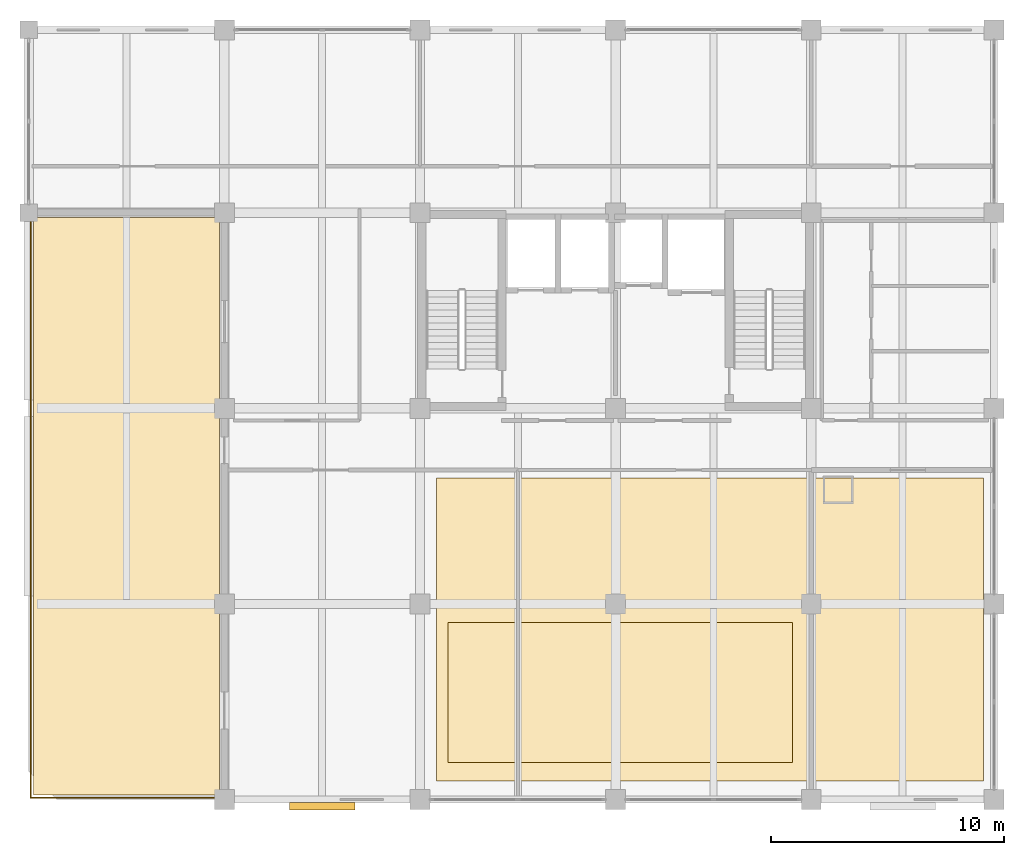
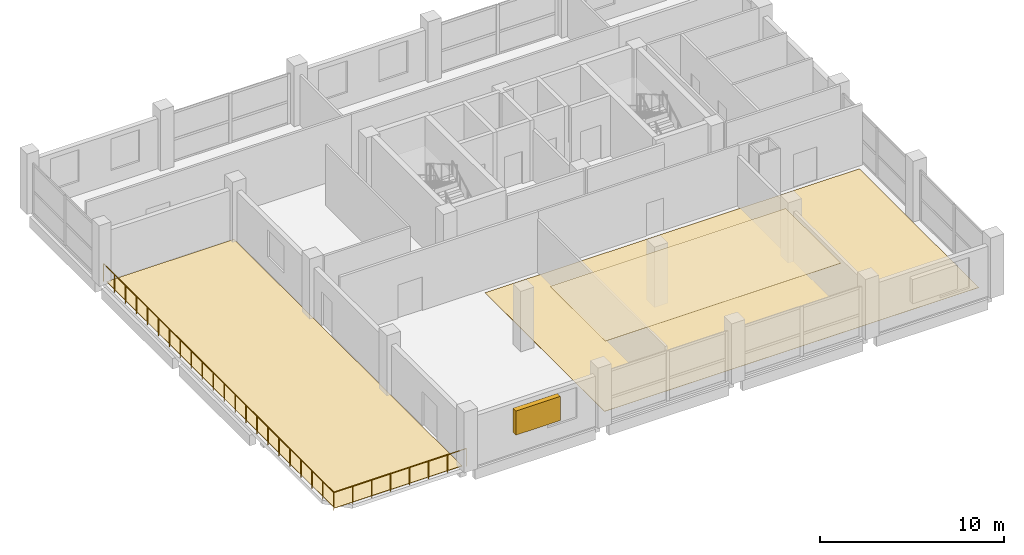
# One storey, part 9 of 10: 3 coverings, 1 railing, 1 shading device.
"""IFC4 building model written with IfcOpenShell, lengths in metres."""

from ifc_helpers import new_model, si_unit, direction, frame, origin, origin_2d, place, context, subcontext, project, spatial, polyline, rectangle, circle, outline, extrude, material, layer, layer_set, type_object, element, save


model = new_model("IFC4")

# Units and contexts
model_context = context("Model", 3, precision=1e-05, world=origin(), true_north=direction((0.0, 1.0)))
body_context = subcontext(model_context, "Body", "Model", "MODEL_VIEW")
ifc_project = project(units=[si_unit("LENGTHUNIT", "METRE"), si_unit("AREAUNIT", "SQUARE_METRE"), si_unit("VOLUMEUNIT", "CUBIC_METRE"), si_unit("PLANEANGLEUNIT", "RADIAN"), si_unit("MASSUNIT", "GRAM", prefix="KILO")], contexts=[model_context])

# Site, building, storey
site_placement = place(None, origin())
site = spatial("IfcSite", under=ifc_project, at=site_placement, CompositionType="ELEMENT")
building_placement = place(site_placement, origin())
building = spatial("IfcBuilding", under=site, at=building_placement, Name="Brinegate Botanical Conservatory", CompositionType="ELEMENT")
storey_placement = place(building_placement, frame((0.0, 0.0, 27.60009765625)))
storey = spatial("IfcBuildingStorey", under=building, at=storey_placement, Name="L07", CompositionType="ELEMENT", Elevation=27.60009765625)

# Coverings
ifc_material_1 = material(Name="Moisture-resistant acoustic mineral-fibre ceiling board", Category="gypsum")
ifc_layer_1 = layer(ifc_material_1, 0.02001953125, Name="Moisture-resistant acoustic mineral-fibre ceiling board", Category="gypsum")
ifc_layer_set_1 = layer_set([ifc_layer_1], Name="Moisture-resistant acoustic mineral-fibre ceiling board")
covering_type_1 = type_object("IfcCoveringType", Name="Cov_CLG-LAB", PredefinedType="CEILING", material=ifc_layer_set_1)
covering_1_placement = place(storey_placement, frame((0.0, 0.0, 4.0)))
element("IfcCovering", 1, at=covering_1_placement, inside=storey, type_object=covering_type_1, Name="Laboratory acoustic mineral-fibre ceiling L07", PredefinedType="CEILING", context=body_context, shape_type="SweptSolid", body=[
    extrude(outline(polyline([(140.0, 80.0), (154.800048828125, 80.0), (154.800048828125, 86.0), (140.0, 86.0), (140.0, 80.0)])), origin(), (0.0, 0.0, 1.0), 0.02001953125),
])
ifc_material_2 = material(Name="Seamless chemical-resistant terrazzo and epoxy flooring", Category="concrete")
ifc_layer_2 = layer(ifc_material_2, 0.014892578125, Name="Seamless chemical-resistant terrazzo and epoxy flooring", Category="concrete")
ifc_layer_set_2 = layer_set([ifc_layer_2], Name="Seamless chemical-resistant terrazzo and epoxy flooring")
covering_type_2 = type_object("IfcCoveringType", Name="Cov_FLR-LAB", PredefinedType="FLOORING", material=ifc_layer_set_2)
covering_2_placement = place(storey_placement, origin())
element("IfcCovering", 2, at=covering_2_placement, inside=storey, type_object=covering_type_2, Name="Laboratory seamless terrazzo floor finish L07", PredefinedType="FLOORING", context=body_context, shape_type="SweptSolid", body=[
    extrude(outline(polyline([(139.5, 79.199951171875), (163.0, 79.199951171875), (163.0, 92.199951171875), (139.5, 92.199951171875), (139.5, 79.199951171875)])), origin(), (0.0, 0.0, 1.0), 0.014892578125),
])
ifc_material_3 = material(Name="Thermoplastic polyolefin waterproofing membrane & rigid insulation", Category="membrane")
ifc_layer_3 = layer(ifc_material_3, 0.02490234375, Name="Thermoplastic polyolefin waterproofing membrane & rigid insulation", Category="membrane")
ifc_layer_set_3 = layer_set([ifc_layer_3], Name="Thermoplastic polyolefin waterproofing membrane & rigid insulation")
covering_type_3 = type_object("IfcCoveringType", Name="Cov_ROF-MEM", PredefinedType="ROOFING", material=ifc_layer_set_3)
covering_3_placement = place(storey_placement, origin())
element("IfcCovering", 3, at=covering_3_placement, inside=storey, type_object=covering_type_3, Name="Setback terrace waterproofing L07", PredefinedType="ROOFING", context=body_context, shape_type="SweptSolid", body=[
    extrude(outline(polyline([(122.199951171875, 78.60009765625), (130.199951171875, 78.60009765625), (130.199951171875, 103.39990234375), (122.199951171875, 103.39990234375), (122.199951171875, 78.60009765625)])), origin(), (0.0, 0.0, 1.0), 0.02490234375),
])

# Railing
ifc_material_4 = material(Name="Structural steel Q355B / S355 and laminated glass balustrade", Category="steel")
railing_type = type_object("IfcRailingType", Name="Rail_GD-EXT", PredefinedType="BALUSTRADE", material=ifc_material_4)
railing_placement = place(storey_placement, frame((130.39990234375, 78.47998046875, 0.0)))
element("IfcRailing", 4, at=railing_placement, inside=storey, type_object=railing_type, Name="Botanical Setback Terrace L07 perimeter balustrade", PredefinedType="BALUSTRADE", context=body_context, shape_type="SweptSolid", body=[
    extrude(circle(Radius=0.02392578125, at=origin_2d()), frame((0.0, 0.0, 1.17578125), z_axis=(-1.0, 0.0, 0.0), x_axis=(0.0, -1.0, 0.0)), (0.0, 0.0, 1.0), 8.31982421875),
    extrude(circle(Radius=0.02392578125, at=origin_2d()), frame((-8.31982421875, 0.0, 1.17578125), z_axis=(0.0, 1.0, 0.0), x_axis=(-1.0, 0.0, 0.0)), (0.0, 0.0, 1.0), 25.0400390625),
    extrude(circle(Radius=0.02099609375, at=origin_2d()), origin(), (0.0, 0.0, 1.0), 1.15185546875),
    extrude(circle(Radius=0.02099609375, at=origin_2d()), frame((-1.1884765625, 0.0, 0.0)), (0.0, 0.0, 1.0), 1.15185546875),
    extrude(circle(Radius=0.02099609375, at=origin_2d()), frame((-2.377197265625, 0.0, 0.0)), (0.0, 0.0, 1.0), 1.15185546875),
    extrude(circle(Radius=0.02099609375, at=origin_2d()), frame((-3.565673828125, 0.0, 0.0)), (0.0, 0.0, 1.0), 1.15185546875),
    extrude(circle(Radius=0.02099609375, at=origin_2d()), frame((-4.754150390625, 0.0, 0.0)), (0.0, 0.0, 1.0), 1.15185546875),
    extrude(circle(Radius=0.02099609375, at=origin_2d()), frame((-5.942626953125, 0.0, 0.0)), (0.0, 0.0, 1.0), 1.15185546875),
    extrude(circle(Radius=0.02099609375, at=origin_2d()), frame((-7.13134765625, 0.0, 0.0)), (0.0, 0.0, 1.0), 1.15185546875),
    extrude(circle(Radius=0.02099609375, at=origin_2d()), frame((-8.31982421875, 0.0, 0.0)), (0.0, 0.0, 1.0), 1.15185546875),
    extrude(circle(Radius=0.02099609375, at=origin_2d()), frame((-8.31982421875, 1.1923828125, 0.0)), (0.0, 0.0, 1.0), 1.15185546875),
    extrude(circle(Radius=0.02099609375, at=origin_2d()), frame((-8.31982421875, 2.384765625, 0.0)), (0.0, 0.0, 1.0), 1.15185546875),
    extrude(circle(Radius=0.02099609375, at=origin_2d()), frame((-8.31982421875, 3.5771484375, 0.0)), (0.0, 0.0, 1.0), 1.15185546875),
    extrude(circle(Radius=0.02099609375, at=origin_2d()), frame((-8.31982421875, 4.76953125, 0.0)), (0.0, 0.0, 1.0), 1.15185546875),
    extrude(circle(Radius=0.02099609375, at=origin_2d()), frame((-8.31982421875, 5.9619140625, 0.0)), (0.0, 0.0, 1.0), 1.15185546875),
    extrude(circle(Radius=0.02099609375, at=origin_2d()), frame((-8.31982421875, 7.154296875, 0.0)), (0.0, 0.0, 1.0), 1.15185546875),
    extrude(circle(Radius=0.02099609375, at=origin_2d()), frame((-8.31982421875, 8.3466796875, 0.0)), (0.0, 0.0, 1.0), 1.15185546875),
    extrude(circle(Radius=0.02099609375, at=origin_2d()), frame((-8.31982421875, 9.5390625, 0.0)), (0.0, 0.0, 1.0), 1.15185546875),
    extrude(circle(Radius=0.02099609375, at=origin_2d()), frame((-8.31982421875, 10.7314453125, 0.0)), (0.0, 0.0, 1.0), 1.15185546875),
    extrude(circle(Radius=0.02099609375, at=origin_2d()), frame((-8.31982421875, 11.923828125, 0.0)), (0.0, 0.0, 1.0), 1.15185546875),
    extrude(circle(Radius=0.02099609375, at=origin_2d()), frame((-8.31982421875, 13.1162109375, 0.0)), (0.0, 0.0, 1.0), 1.15185546875),
    extrude(circle(Radius=0.02099609375, at=origin_2d()), frame((-8.31982421875, 14.30859375, 0.0)), (0.0, 0.0, 1.0), 1.15185546875),
    extrude(circle(Radius=0.02099609375, at=origin_2d()), frame((-8.31982421875, 15.5009765625, 0.0)), (0.0, 0.0, 1.0), 1.15185546875),
    extrude(circle(Radius=0.02099609375, at=origin_2d()), frame((-8.31982421875, 16.693359375, 0.0)), (0.0, 0.0, 1.0), 1.15185546875),
    extrude(circle(Radius=0.02099609375, at=origin_2d()), frame((-8.31982421875, 17.8857421875, 0.0)), (0.0, 0.0, 1.0), 1.15185546875),
    extrude(circle(Radius=0.02099609375, at=origin_2d()), frame((-8.31982421875, 19.078125, 0.0)), (0.0, 0.0, 1.0), 1.15185546875),
    extrude(circle(Radius=0.02099609375, at=origin_2d()), frame((-8.31982421875, 20.2705078125, 0.0)), (0.0, 0.0, 1.0), 1.15185546875),
    extrude(circle(Radius=0.02099609375, at=origin_2d()), frame((-8.31982421875, 21.462890625, 0.0)), (0.0, 0.0, 1.0), 1.15185546875),
    extrude(circle(Radius=0.02099609375, at=origin_2d()), frame((-8.31982421875, 22.6552734375, 0.0)), (0.0, 0.0, 1.0), 1.15185546875),
    extrude(circle(Radius=0.02099609375, at=origin_2d()), frame((-8.31982421875, 23.84765625, 0.0)), (0.0, 0.0, 1.0), 1.15185546875),
    extrude(circle(Radius=0.02099609375, at=origin_2d()), frame((-8.31982421875, 25.0400390625, 0.0)), (0.0, 0.0, 1.0), 1.15185546875),
])

# Shading device
ifc_material_5 = material(Name="Anodised aluminium AW-6063-T6 solar-storm fin bank", Category="aluminium")
shading_device_type = type_object("IfcShadingDeviceType", Name="Shade_SLV-02", PredefinedType="JALOUSIE", material=ifc_material_5)
shading_device_placement = place(storey_placement, frame((134.60009765625, 78.110107421875, 1.39990234375), z_axis=(0.0, 0.0, 1.0), x_axis=(1.0, 0.0, 0.0)))
element("IfcShadingDevice", 5, at=shading_device_placement, inside=storey, type_object=shading_device_type, Name="Research lab south storm louvre L07.1", PredefinedType="JALOUSIE", context=body_context, shape_type="SweptSolid", body=[
    extrude(rectangle(XDim=2.800048828125, YDim=0.320068359375, at=origin_2d()), origin(), (0.0, 0.0, 1.0), 1.60009765625),
])

save(model, "model.ifc")
